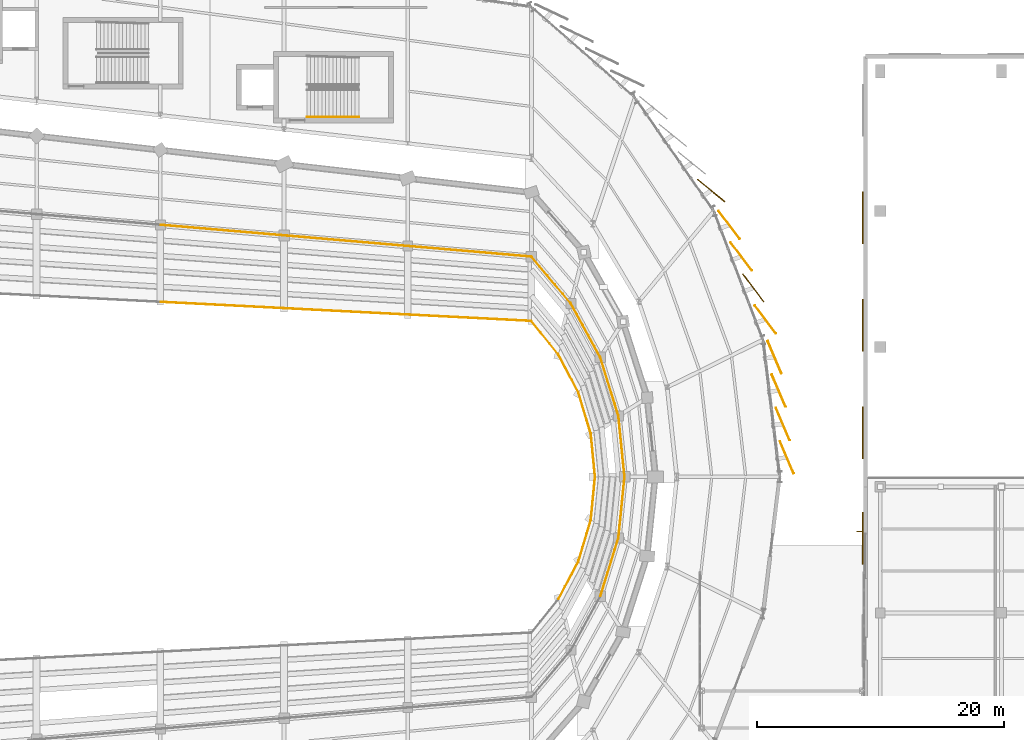
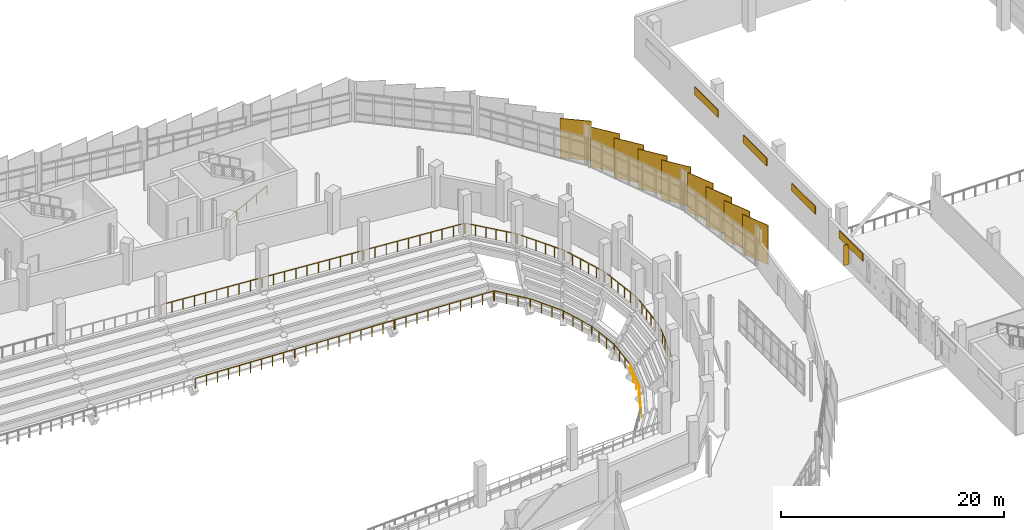
# One storey, part 132 of 134: 20 railings, 13 coverings, 1 shading device.
"""IFC4 building model written with IfcOpenShell, lengths in metres."""

import ifcopenshell
import ifcopenshell.guid

model = None  # the IFC model being written
_history = None  # IfcOwnerHistory: only IFC2X3 demands one
_inside = {}  # id of a spatial element -> (the spatial element, [elements in it])
_under = {}  # id of a project, library or spatial element -> (it, [spatial elements below it])
_declared = {}  # id of a project -> (the project, [libraries it declares])
_typed = {}  # id of a type object -> (the type object, [elements of that type])
_made_of = {}  # id of a material, layer set ... -> (it, [elements and type objects made of it])


def new_model(schema):
    """Start an empty IFC model of exactly this schema.

    Asked for "IFC4X3", IfcOpenShell would pick the latest addendum, in which some entities
    have other attributes; the version numbers below select the first issue.
    IFC2X3 requires an IfcOwnerHistory on every rooted entity: one is made here for all.
    """
    global model, _history
    if schema == "IFC4X3":
        model = ifcopenshell.file(schema_version=(4, 3, 0, 0))
    else:
        model = ifcopenshell.file(schema=schema)
    _inside.clear()
    _under.clear()
    _declared.clear()
    _typed.clear()
    _made_of.clear()
    _history = None
    if model.schema == "IFC2X3":
        org = make("IfcOrganization", Name="unknown")
        user = make(
            "IfcPersonAndOrganization",
            ThePerson=make("IfcPerson", FamilyName="unknown"),
            TheOrganization=org,
        )
        app = make(
            "IfcApplication",
            ApplicationDeveloper=org,
            Version="unknown",
            ApplicationFullName="unknown",
            ApplicationIdentifier="unknown",
        )
        _history = make(
            "IfcOwnerHistory",
            OwningUser=user,
            OwningApplication=app,
            ChangeAction="ADDED",
            CreationDate=0,
        )
    return model


def make(cls, **values):
    """One entity of the class cls with the attributes given. An attribute that is None is left unset."""
    return model.create_entity(
        cls, **{name: value for name, value in values.items() if value is not None}
    )


def rooted(cls, **values):
    """An entity with a GlobalId (a new one), such as an element, a storey or a relation."""
    return make(cls, GlobalId=ifcopenshell.guid.new(), OwnerHistory=_history, **values)


def si_unit(unit_type, name, prefix=None):
    """IfcSIUnit, for example si_unit("LENGTHUNIT", "METRE", prefix="MILLI")."""
    return make("IfcSIUnit", UnitType=unit_type, Prefix=prefix, Name=name)


def assignment(units):
    """IfcUnitAssignment: the units of a project."""
    return None if units is None else make("IfcUnitAssignment", Units=units)


def point(xyz):
    """IfcCartesianPoint."""
    return None if xyz is None else make("IfcCartesianPoint", Coordinates=xyz)


def direction(xyz):
    """IfcDirection."""
    return None if xyz is None else make("IfcDirection", DirectionRatios=xyz)


def frame(location, z_axis=None, x_axis=None):
    """IfcAxis2Placement3D, a coordinate frame: its origin and axes. An axis left out is left unset."""
    return make(
        "IfcAxis2Placement3D",
        Location=point(location),
        Axis=direction(z_axis),
        RefDirection=direction(x_axis),
    )


def frame_2d(location, x_axis=None):
    """IfcAxis2Placement2D, a coordinate frame in the plane: its origin and x axis."""
    return make(
        "IfcAxis2Placement2D", Location=point(location), RefDirection=direction(x_axis)
    )


def origin():
    """The frame at (0, 0, 0) with its axes left unset."""
    return frame((0.0, 0.0, 0.0))


def origin_2d():
    """The frame at (0, 0) in the plane with its x axis left unset."""
    return frame_2d((0.0, 0.0))


def place(relative_to, where):
    """IfcLocalPlacement: puts the frame where relative to a parent placement (None: the world)."""
    return make(
        "IfcLocalPlacement", PlacementRelTo=relative_to, RelativePlacement=where
    )


def context(
    kind, dimensions, precision=None, world=None, true_north=None, identifier=None
):
    """IfcGeometricRepresentationContext, for example the 3D "Model" context."""
    return make(
        "IfcGeometricRepresentationContext",
        ContextIdentifier=identifier,
        ContextType=kind,
        CoordinateSpaceDimension=dimensions,
        Precision=precision,
        WorldCoordinateSystem=world,
        TrueNorth=true_north,
    )


def subcontext(parent, identifier, kind, view, scale=None):
    """IfcGeometricRepresentationSubContext, for example "Body" below "Model"."""
    return make(
        "IfcGeometricRepresentationSubContext",
        ContextIdentifier=identifier,
        ContextType=kind,
        ParentContext=parent,
        TargetScale=scale,
        TargetView=view,
    )


def project(units=None, contexts=None):
    """IfcProject with its units and contexts."""
    return rooted(
        "IfcProject",
        Name="project",
        RepresentationContexts=contexts,
        UnitsInContext=assignment(units),
    )


def spatial(cls, under=None, at=None, **own):
    """A site, building, storey or space (cls), placed at a placement, below another one or the project."""
    s = rooted(cls, ObjectPlacement=at, **own)
    if under is not None:
        _under.setdefault(under.id(), (under, []))[1].append(s)
    return s


def profile(cls, at=None, kind="AREA", **sizes):
    """A parametric profile (cls). Its sizes go by their IFC names, for example OverallWidth=200.0."""
    return make(cls, ProfileType=kind, Position=at, **sizes)


def rectangle(**sizes):
    """IfcRectangleProfileDef."""
    return profile("IfcRectangleProfileDef", **sizes)


def circle(**sizes):
    """IfcCircleProfileDef."""
    return profile("IfcCircleProfileDef", **sizes)


def extrude(swept, where, along, depth):
    """IfcExtrudedAreaSolid: the profile swept, set in the frame where, extruded along a direction by depth."""
    return make(
        "IfcExtrudedAreaSolid",
        SweptArea=swept,
        Position=where,
        ExtrudedDirection=direction(along),
        Depth=depth,
    )


def shape(context_of_items, identifier, shape_type, items):
    """IfcShapeRepresentation: the items that make up one representation, for example the "Body"."""
    return make(
        "IfcShapeRepresentation",
        ContextOfItems=context_of_items,
        RepresentationIdentifier=identifier,
        RepresentationType=shape_type,
        Items=items,
    )


def material(Name=None, Category=None):
    """IfcMaterial."""
    return make("IfcMaterial", Name=Name, Category=Category)


def layer(
    of_material, thickness, ventilated=None, Name=None, Category=None, Priority=None
):
    """IfcMaterialLayer: one layer of a wall or slab, of a material (None: an air gap)."""
    return make(
        "IfcMaterialLayer",
        Material=of_material,
        LayerThickness=thickness,
        IsVentilated=ventilated,
        Name=Name,
        Category=Category,
        Priority=Priority,
    )


def layer_set(layers, Name=None):
    """IfcMaterialLayerSet."""
    return make("IfcMaterialLayerSet", MaterialLayers=layers, LayerSetName=Name)


def made_of(thing, what):
    """Note that an element or type object is made of a material, layer set ...; save() writes the relation."""
    if what is not None:
        _made_of.setdefault(what.id(), (what, []))[1].append(thing)
    return thing


def type_object(cls, material=None, **own):
    """A type object (cls), such as IfcWallType, which elements share."""
    return made_of(rooted(cls, **own), material)


def element(
    cls,
    number,
    at=None,
    inside=None,
    cuts=None,
    type_object=None,
    material=None,
    context=None,
    identifier="Body",
    shape_type=None,
    held_by="IfcProductDefinitionShape",
    body=None,
    shapes=None,
    **own,
):
    """One element of the class cls, such as IfcWall. Its Tag is "e" and its number.

    at: its placement. inside: the storey or other place that contains it. cuts: it is an
    opening in that element (IfcRelVoidsElement). A single representation is given by context,
    identifier, shape_type and body (its items); several are given by shapes. held_by: the class
    of the entity that holds the representations. save() writes the other relations.
    """
    e = rooted(cls, Tag="e%d" % number, ObjectPlacement=at, **own)
    if body is not None:
        shapes = [shape(context, identifier, shape_type, body)]
    if shapes is not None:
        e.Representation = make(held_by, Representations=shapes)
    if inside is not None:
        _inside.setdefault(inside.id(), (inside, []))[1].append(e)
    if cuts is not None:
        rooted(
            "IfcRelVoidsElement", RelatingBuildingElement=cuts, RelatedOpeningElement=e
        )
    if type_object is not None:
        _typed.setdefault(type_object.id(), (type_object, []))[1].append(e)
    return made_of(e, material)


def aggregate(whole, parts):
    """IfcRelAggregates: a whole, such as a stair, and the parts it consists of."""
    return rooted("IfcRelAggregates", RelatingObject=whole, RelatedObjects=parts)


def save(model, path):
    """Write the relations noted so far, then the file.

    IfcRelAggregates (storeys below a building ...), IfcRelContainedInSpatialStructure (elements
    in a storey), IfcRelDefinesByType, IfcRelAssociatesMaterial and IfcRelDeclares: one each for
    every whole, place, type object, material and project.
    """
    for whole, parts in _under.values():
        aggregate(whole, parts)
    for where, things in _inside.values():
        rooted(
            "IfcRelContainedInSpatialStructure",
            RelatedElements=things,
            RelatingStructure=where,
        )
    for kind, things in _typed.values():
        rooted("IfcRelDefinesByType", RelatedObjects=things, RelatingType=kind)
    for what, things in _made_of.values():
        rooted("IfcRelAssociatesMaterial", RelatedObjects=things, RelatingMaterial=what)
    for by, libraries in _declared.values():
        rooted("IfcRelDeclares", RelatingContext=by, RelatedDefinitions=libraries)
    model.write(path)


model = new_model("IFC4")

# Units and contexts
model_context = context("Model", 3, precision=1e-05, world=origin(), true_north=direction((0.0, 1.0)))
body_context = subcontext(model_context, "Body", "Model", "MODEL_VIEW")
ifc_project = project(units=[si_unit("LENGTHUNIT", "METRE"), si_unit("AREAUNIT", "SQUARE_METRE"), si_unit("VOLUMEUNIT", "CUBIC_METRE"), si_unit("PLANEANGLEUNIT", "RADIAN"), si_unit("MASSUNIT", "GRAM", prefix="KILO")], contexts=[model_context])

# Site, building, storey
site_placement = place(None, origin())
site = spatial("IfcSite", under=ifc_project, at=site_placement, CompositionType="ELEMENT")
building_placement = place(site_placement, origin())
building = spatial("IfcBuilding", under=site, at=building_placement, Name="Sohan Crest Arena", CompositionType="ELEMENT")
storey_placement = place(building_placement, frame((0.0, 0.0, 4.5)))
storey = spatial("IfcBuildingStorey", under=building, at=storey_placement, Name="L01", CompositionType="ELEMENT", Elevation=4.5)

# Railings
ifc_material_1 = material(Name="Laminated glass and steel sightline guard", Category="steel")
railing_type_1 = type_object("IfcRailingType", Name="ARC-GRD-02", PredefinedType="GUARDRAIL", material=ifc_material_1)
railing_1_placement = place(storey_placement, frame((170.205078125, 68.14697265625, -4.25)))
element("IfcRailing", 1, at=railing_1_placement, inside=storey, type_object=railing_type_1, Name="Courtside bowl crowd barrier GRD-143", PredefinedType="GUARDRAIL", context=body_context, shape_type="SweptSolid", body=[
    extrude(circle(Radius=0.02392578125, at=origin_2d()), frame((0.0, 0.0, 1.1259765625), z_axis=(0.46556317264, 0.885014650885, 0.0), x_axis=(-0.885014650885, 0.46556317264, 0.0)), (0.0, 0.0, 1.0), 3.404296875),
    extrude(circle(Radius=0.02099609375, at=origin_2d()), origin(), (0.0, 0.0, 1.0), 1.101806640625),
    extrude(circle(Radius=0.02099609375, at=origin_2d()), frame((0.5283203125, 1.00439453125, 0.0)), (0.0, 0.0, 1.0), 1.101806640625),
    extrude(circle(Radius=0.02099609375, at=origin_2d()), frame((1.056640625, 2.008544921875, 0.0)), (0.0, 0.0, 1.0), 1.101806640625),
    extrude(circle(Radius=0.02099609375, at=origin_2d()), frame((1.5849609375, 3.012939453125, 0.0)), (0.0, 0.0, 1.0), 1.101806640625),
])
railing_2_placement = place(storey_placement, frame((171.820068359375, 71.23291015625, -4.25)))
element("IfcRailing", 2, at=railing_2_placement, inside=storey, type_object=railing_type_1, Name="Courtside bowl crowd barrier GRD-144", PredefinedType="GUARDRAIL", context=body_context, shape_type="SweptSolid", body=[
    extrude(circle(Radius=0.02392578125, at=origin_2d()), frame((0.0, 0.0, 1.1259765625), z_axis=(0.28691375412, 0.957956417431, 0.0), x_axis=(-0.957956417431, 0.28691375412, 0.0)), (0.0, 0.0, 1.0), 3.4052734375),
    extrude(circle(Radius=0.02099609375, at=origin_2d()), origin(), (0.0, 0.0, 1.0), 1.101806640625),
    extrude(circle(Radius=0.02099609375, at=origin_2d()), frame((0.32568359375, 1.08740234375, 0.0)), (0.0, 0.0, 1.0), 1.101806640625),
    extrude(circle(Radius=0.02099609375, at=origin_2d()), frame((0.6513671875, 2.1748046875, 0.0)), (0.0, 0.0, 1.0), 1.101806640625),
    extrude(circle(Radius=0.02099609375, at=origin_2d()), frame((0.97705078125, 3.26220703125, 0.0)), (0.0, 0.0, 1.0), 1.101806640625),
])
railing_3_placement = place(storey_placement, frame((172.81201171875, 74.572998046875, -4.25)))
element("IfcRailing", 3, at=railing_3_placement, inside=storey, type_object=railing_type_1, Name="Courtside bowl crowd barrier GRD-145", PredefinedType="GUARDRAIL", context=body_context, shape_type="SweptSolid", body=[
    extrude(circle(Radius=0.02392578125, at=origin_2d()), frame((0.0, 0.0, 1.1259765625), z_axis=(0.09671168221, 0.995312438646, 0.0), x_axis=(-0.995312438646, 0.09671168221, 0.0)), (0.0, 0.0, 1.0), 3.40283203125),
    extrude(circle(Radius=0.02099609375, at=origin_2d()), origin(), (0.0, 0.0, 1.0), 1.101806640625),
    extrude(circle(Radius=0.02099609375, at=origin_2d()), frame((0.109619140625, 1.12890625, 0.0)), (0.0, 0.0, 1.0), 1.101806640625),
    extrude(circle(Radius=0.02099609375, at=origin_2d()), frame((0.219482421875, 2.258056640625, 0.0)), (0.0, 0.0, 1.0), 1.101806640625),
    extrude(circle(Radius=0.02099609375, at=origin_2d()), frame((0.3291015625, 3.386962890625, 0.0)), (0.0, 0.0, 1.0), 1.101806640625),
])
railing_4_placement = place(storey_placement, frame((173.14111328125, 78.0400390625, -4.25)))
element("IfcRailing", 4, at=railing_4_placement, inside=storey, type_object=railing_type_1, Name="Courtside bowl crowd barrier GRD-146", PredefinedType="GUARDRAIL", context=body_context, shape_type="SweptSolid", body=[
    extrude(circle(Radius=0.02392578125, at=origin_2d()), frame((0.0, 0.0, 1.1259765625), z_axis=(-0.09671168221, 0.995312438646, 0.0), x_axis=(-0.995312438646, -0.09671168221, 0.0)), (0.0, 0.0, 1.0), 3.40283203125),
    extrude(circle(Radius=0.02099609375, at=origin_2d()), origin(), (0.0, 0.0, 1.0), 1.101806640625),
    extrude(circle(Radius=0.02099609375, at=origin_2d()), frame((-0.109619140625, 1.12890625, 0.0)), (0.0, 0.0, 1.0), 1.101806640625),
    extrude(circle(Radius=0.02099609375, at=origin_2d()), frame((-0.219482421875, 2.258056640625, 0.0)), (0.0, 0.0, 1.0), 1.101806640625),
    extrude(circle(Radius=0.02099609375, at=origin_2d()), frame((-0.3291015625, 3.386962890625, 0.0)), (0.0, 0.0, 1.0), 1.101806640625),
])
railing_5_placement = place(storey_placement, frame((172.797119140625, 81.5048828125, -4.25)))
element("IfcRailing", 5, at=railing_5_placement, inside=storey, type_object=railing_type_1, Name="Courtside bowl crowd barrier GRD-147", PredefinedType="GUARDRAIL", context=body_context, shape_type="SweptSolid", body=[
    extrude(circle(Radius=0.02392578125, at=origin_2d()), frame((0.0, 0.0, 1.1259765625), z_axis=(-0.28691375412, 0.957956417431, 0.0), x_axis=(-0.957956417431, -0.28691375412, 0.0)), (0.0, 0.0, 1.0), 3.4052734375),
    extrude(circle(Radius=0.02099609375, at=origin_2d()), origin(), (0.0, 0.0, 1.0), 1.101806640625),
    extrude(circle(Radius=0.02099609375, at=origin_2d()), frame((-0.32568359375, 1.08740234375, 0.0)), (0.0, 0.0, 1.0), 1.101806640625),
    extrude(circle(Radius=0.02099609375, at=origin_2d()), frame((-0.6513671875, 2.1748046875, 0.0)), (0.0, 0.0, 1.0), 1.101806640625),
    extrude(circle(Radius=0.02099609375, at=origin_2d()), frame((-0.97705078125, 3.26220703125, 0.0)), (0.0, 0.0, 1.0), 1.101806640625),
])
railing_6_placement = place(storey_placement, frame((171.7900390625, 84.840087890625, -4.25)))
element("IfcRailing", 6, at=railing_6_placement, inside=storey, type_object=railing_type_1, Name="Courtside bowl crowd barrier GRD-148", PredefinedType="GUARDRAIL", context=body_context, shape_type="SweptSolid", body=[
    extrude(circle(Radius=0.02392578125, at=origin_2d()), frame((0.0, 0.0, 1.1259765625), z_axis=(-0.46556317264, 0.885014650885, 0.0), x_axis=(-0.885014650885, -0.46556317264, 0.0)), (0.0, 0.0, 1.0), 3.404296875),
    extrude(circle(Radius=0.02099609375, at=origin_2d()), origin(), (0.0, 0.0, 1.0), 1.101806640625),
    extrude(circle(Radius=0.02099609375, at=origin_2d()), frame((-0.5283203125, 1.00439453125, 0.0)), (0.0, 0.0, 1.0), 1.101806640625),
    extrude(circle(Radius=0.02099609375, at=origin_2d()), frame((-1.056640625, 2.008544921875, 0.0)), (0.0, 0.0, 1.0), 1.101806640625),
    extrude(circle(Radius=0.02099609375, at=origin_2d()), frame((-1.5849609375, 3.012939453125, 0.0)), (0.0, 0.0, 1.0), 1.101806640625),
])
railing_7_placement = place(storey_placement, frame((170.160888671875, 87.9189453125, -4.25)))
element("IfcRailing", 7, at=railing_7_placement, inside=storey, type_object=railing_type_1, Name="Courtside bowl crowd barrier GRD-149", PredefinedType="GUARDRAIL", context=body_context, shape_type="SweptSolid", body=[
    extrude(circle(Radius=0.02392578125, at=origin_2d()), frame((0.0, 0.0, 1.1259765625), z_axis=(-0.627533719877, 0.778589384989, 0.0), x_axis=(-0.778589384989, -0.627533719877, 0.0)), (0.0, 0.0, 1.0), 3.40380859375),
    extrude(circle(Radius=0.02099609375, at=origin_2d()), origin(), (0.0, 0.0, 1.0), 1.101806640625),
    extrude(circle(Radius=0.02099609375, at=origin_2d()), frame((-0.7119140625, 0.88330078125, 0.0)), (0.0, 0.0, 1.0), 1.101806640625),
    extrude(circle(Radius=0.02099609375, at=origin_2d()), frame((-1.424072265625, 1.766845703125, 0.0)), (0.0, 0.0, 1.0), 1.101806640625),
    extrude(circle(Radius=0.02099609375, at=origin_2d()), frame((-2.135986328125, 2.650146484375, 0.0)), (0.0, 0.0, 1.0), 1.101806640625),
])
railing_8_placement = place(storey_placement, frame((167.9599609375, 90.60205078125, -4.25)))
element("IfcRailing", 8, at=railing_8_placement, inside=storey, type_object=railing_type_1, Name="Courtside bowl crowd barrier GRD-150", PredefinedType="GUARDRAIL", context=body_context, shape_type="SweptSolid", body=[
    extrude(circle(Radius=0.02392578125, at=origin_2d()), frame((0.0, 0.0, 1.1259765625), z_axis=(-0.998680982493, 0.051344865437, 0.0), x_axis=(-0.051344865437, -0.998680982493, 0.0)), (0.0, 0.0, 1.0), 9.93310546875),
    extrude(circle(Radius=0.02099609375, at=origin_2d()), origin(), (0.0, 0.0, 1.0), 1.101806640625),
    extrude(circle(Radius=0.02099609375, at=origin_2d()), frame((-1.102294921875, 0.056640625, 0.0)), (0.0, 0.0, 1.0), 1.101806640625),
    extrude(circle(Radius=0.02099609375, at=origin_2d()), frame((-2.204345703125, 0.11328125, 0.0)), (0.0, 0.0, 1.0), 1.101806640625),
    extrude(circle(Radius=0.02099609375, at=origin_2d()), frame((-3.306640625, 0.169921875, 0.0)), (0.0, 0.0, 1.0), 1.101806640625),
    extrude(circle(Radius=0.02099609375, at=origin_2d()), frame((-4.408935546875, 0.2265625, 0.0)), (0.0, 0.0, 1.0), 1.101806640625),
    extrude(circle(Radius=0.02099609375, at=origin_2d()), frame((-5.510986328125, 0.283447265625, 0.0)), (0.0, 0.0, 1.0), 1.101806640625),
    extrude(circle(Radius=0.02099609375, at=origin_2d()), frame((-6.61328125, 0.340087890625, 0.0)), (0.0, 0.0, 1.0), 1.101806640625),
    extrude(circle(Radius=0.02099609375, at=origin_2d()), frame((-7.715576171875, 0.396728515625, 0.0)), (0.0, 0.0, 1.0), 1.101806640625),
    extrude(circle(Radius=0.02099609375, at=origin_2d()), frame((-8.817626953125, 0.453369140625, 0.0)), (0.0, 0.0, 1.0), 1.101806640625),
    extrude(circle(Radius=0.02099609375, at=origin_2d()), frame((-9.919921875, 0.510009765625, 0.0)), (0.0, 0.0, 1.0), 1.101806640625),
])
railing_9_placement = place(storey_placement, frame((157.9599609375, 91.115966796875, -4.25)))
element("IfcRailing", 9, at=railing_9_placement, inside=storey, type_object=railing_type_1, Name="Courtside bowl crowd barrier GRD-151", PredefinedType="GUARDRAIL", context=body_context, shape_type="SweptSolid", body=[
    extrude(circle(Radius=0.02392578125, at=origin_2d()), frame((0.0, 0.0, 1.1259765625), z_axis=(-0.998675936407, 0.051442920233, 0.0), x_axis=(-0.051442920233, -0.998675936407, 0.0)), (0.0, 0.0, 1.0), 9.93310546875),
    extrude(circle(Radius=0.02099609375, at=origin_2d()), origin(), (0.0, 0.0, 1.0), 1.101806640625),
    extrude(circle(Radius=0.02099609375, at=origin_2d()), frame((-1.102294921875, 0.056884765625, 0.0)), (0.0, 0.0, 1.0), 1.101806640625),
    extrude(circle(Radius=0.02099609375, at=origin_2d()), frame((-2.204345703125, 0.113525390625, 0.0)), (0.0, 0.0, 1.0), 1.101806640625),
    extrude(circle(Radius=0.02099609375, at=origin_2d()), frame((-3.306640625, 0.17041015625, 0.0)), (0.0, 0.0, 1.0), 1.101806640625),
    extrude(circle(Radius=0.02099609375, at=origin_2d()), frame((-4.408935546875, 0.22705078125, 0.0)), (0.0, 0.0, 1.0), 1.101806640625),
    extrude(circle(Radius=0.02099609375, at=origin_2d()), frame((-5.510986328125, 0.283935546875, 0.0)), (0.0, 0.0, 1.0), 1.101806640625),
    extrude(circle(Radius=0.02099609375, at=origin_2d()), frame((-6.61328125, 0.340576171875, 0.0)), (0.0, 0.0, 1.0), 1.101806640625),
    extrude(circle(Radius=0.02099609375, at=origin_2d()), frame((-7.715576171875, 0.3974609375, 0.0)), (0.0, 0.0, 1.0), 1.101806640625),
    extrude(circle(Radius=0.02099609375, at=origin_2d()), frame((-8.817626953125, 0.4541015625, 0.0)), (0.0, 0.0, 1.0), 1.101806640625),
    extrude(circle(Radius=0.02099609375, at=origin_2d()), frame((-9.919921875, 0.510986328125, 0.0)), (0.0, 0.0, 1.0), 1.101806640625),
])
railing_10_placement = place(storey_placement, frame((147.9599609375, 91.631103515625, -4.25)))
element("IfcRailing", 10, at=railing_10_placement, inside=storey, type_object=railing_type_1, Name="Courtside bowl crowd barrier GRD-152", PredefinedType="GUARDRAIL", context=body_context, shape_type="SweptSolid", body=[
    extrude(circle(Radius=0.02392578125, at=origin_2d()), frame((0.0, 0.0, 1.1259765625), z_axis=(-0.998680982493, 0.051344865437, 0.0), x_axis=(-0.051344865437, -0.998680982493, 0.0)), (0.0, 0.0, 1.0), 9.93310546875),
    extrude(circle(Radius=0.02099609375, at=origin_2d()), origin(), (0.0, 0.0, 1.0), 1.101806640625),
    extrude(circle(Radius=0.02099609375, at=origin_2d()), frame((-1.102294921875, 0.056640625, 0.0)), (0.0, 0.0, 1.0), 1.101806640625),
    extrude(circle(Radius=0.02099609375, at=origin_2d()), frame((-2.204345703125, 0.11328125, 0.0)), (0.0, 0.0, 1.0), 1.101806640625),
    extrude(circle(Radius=0.02099609375, at=origin_2d()), frame((-3.306640625, 0.169921875, 0.0)), (0.0, 0.0, 1.0), 1.101806640625),
    extrude(circle(Radius=0.02099609375, at=origin_2d()), frame((-4.408935546875, 0.2265625, 0.0)), (0.0, 0.0, 1.0), 1.101806640625),
    extrude(circle(Radius=0.02099609375, at=origin_2d()), frame((-5.510986328125, 0.283447265625, 0.0)), (0.0, 0.0, 1.0), 1.101806640625),
    extrude(circle(Radius=0.02099609375, at=origin_2d()), frame((-6.61328125, 0.340087890625, 0.0)), (0.0, 0.0, 1.0), 1.101806640625),
    extrude(circle(Radius=0.02099609375, at=origin_2d()), frame((-7.715576171875, 0.396728515625, 0.0)), (0.0, 0.0, 1.0), 1.101806640625),
    extrude(circle(Radius=0.02099609375, at=origin_2d()), frame((-8.817626953125, 0.453369140625, 0.0)), (0.0, 0.0, 1.0), 1.101806640625),
    extrude(circle(Radius=0.02099609375, at=origin_2d()), frame((-9.919921875, 0.510009765625, 0.0)), (0.0, 0.0, 1.0), 1.101806640625),
])
railing_11_placement = place(storey_placement, frame((173.5830078125, 68.3740234375, 0.0)))
element("IfcRailing", 11, at=railing_11_placement, inside=storey, type_object=railing_type_1, Name="Bowl gallery edge guard GRD-205", PredefinedType="GUARDRAIL", context=body_context, shape_type="SweptSolid", body=[
    extrude(circle(Radius=0.02392578125, at=origin_2d()), frame((0.0, 0.0, 1.1259765625), z_axis=(0.295710925601, 0.955277471984, 0.0), x_axis=(-0.955277471984, 0.295710925601, 0.0)), (0.0, 0.0, 1.0), 4.8759765625),
    extrude(circle(Radius=0.02099609375, at=origin_2d()), origin(), (0.0, 0.0, 1.0), 1.101806640625),
    extrude(circle(Radius=0.02099609375, at=origin_2d()), frame((0.288330078125, 0.931640625, 0.0)), (0.0, 0.0, 1.0), 1.101806640625),
    extrude(circle(Radius=0.02099609375, at=origin_2d()), frame((0.57666015625, 1.86328125, 0.0)), (0.0, 0.0, 1.0), 1.101806640625),
    extrude(circle(Radius=0.02099609375, at=origin_2d()), frame((0.865234375, 2.794677734375, 0.0)), (0.0, 0.0, 1.0), 1.101806640625),
    extrude(circle(Radius=0.02099609375, at=origin_2d()), frame((1.153564453125, 3.726318359375, 0.0)), (0.0, 0.0, 1.0), 1.101806640625),
    extrude(circle(Radius=0.02099609375, at=origin_2d()), frame((1.44189453125, 4.657958984375, 0.0)), (0.0, 0.0, 1.0), 1.101806640625),
])
railing_12_placement = place(storey_placement, frame((175.041015625, 73.110107421875, 0.0)))
element("IfcRailing", 12, at=railing_12_placement, inside=storey, type_object=railing_type_1, Name="Bowl gallery edge guard GRD-206", PredefinedType="GUARDRAIL", context=body_context, shape_type="SweptSolid", body=[
    extrude(circle(Radius=0.02392578125, at=origin_2d()), frame((0.0, 0.0, 1.1259765625), z_axis=(0.099925241422, 0.99499494779, 0.0), x_axis=(-0.99499494779, 0.099925241422, 0.0)), (0.0, 0.0, 1.0), 4.874267578125),
    extrude(circle(Radius=0.02099609375, at=origin_2d()), origin(), (0.0, 0.0, 1.0), 1.101806640625),
    extrude(circle(Radius=0.02099609375, at=origin_2d()), frame((0.097412109375, 0.969970703125, 0.0)), (0.0, 0.0, 1.0), 1.101806640625),
    extrude(circle(Radius=0.02099609375, at=origin_2d()), frame((0.19482421875, 1.93994140625, 0.0)), (0.0, 0.0, 1.0), 1.101806640625),
    extrude(circle(Radius=0.02099609375, at=origin_2d()), frame((0.292236328125, 2.909912109375, 0.0)), (0.0, 0.0, 1.0), 1.101806640625),
    extrude(circle(Radius=0.02099609375, at=origin_2d()), frame((0.3896484375, 3.8798828125, 0.0)), (0.0, 0.0, 1.0), 1.101806640625),
    extrude(circle(Radius=0.02099609375, at=origin_2d()), frame((0.487060546875, 4.849853515625, 0.0)), (0.0, 0.0, 1.0), 1.101806640625),
])
railing_13_placement = place(storey_placement, frame((175.528076171875, 78.0400390625, 0.0)))
element("IfcRailing", 13, at=railing_13_placement, inside=storey, type_object=railing_type_1, Name="Bowl gallery edge guard GRD-207", PredefinedType="GUARDRAIL", context=body_context, shape_type="SweptSolid", body=[
    extrude(circle(Radius=0.02392578125, at=origin_2d()), frame((0.0, 0.0, 1.1259765625), z_axis=(-0.099925241422, 0.99499494779, 0.0), x_axis=(-0.99499494779, -0.099925241422, 0.0)), (0.0, 0.0, 1.0), 4.874267578125),
    extrude(circle(Radius=0.02099609375, at=origin_2d()), origin(), (0.0, 0.0, 1.0), 1.101806640625),
    extrude(circle(Radius=0.02099609375, at=origin_2d()), frame((-0.097412109375, 0.969970703125, 0.0)), (0.0, 0.0, 1.0), 1.101806640625),
    extrude(circle(Radius=0.02099609375, at=origin_2d()), frame((-0.19482421875, 1.93994140625, 0.0)), (0.0, 0.0, 1.0), 1.101806640625),
    extrude(circle(Radius=0.02099609375, at=origin_2d()), frame((-0.292236328125, 2.909912109375, 0.0)), (0.0, 0.0, 1.0), 1.101806640625),
    extrude(circle(Radius=0.02099609375, at=origin_2d()), frame((-0.3896484375, 3.8798828125, 0.0)), (0.0, 0.0, 1.0), 1.101806640625),
    extrude(circle(Radius=0.02099609375, at=origin_2d()), frame((-0.487060546875, 4.849853515625, 0.0)), (0.0, 0.0, 1.0), 1.101806640625),
])
railing_14_placement = place(storey_placement, frame((175.02490234375, 82.968017578125, 0.0)))
element("IfcRailing", 14, at=railing_14_placement, inside=storey, type_object=railing_type_1, Name="Bowl gallery edge guard GRD-208", PredefinedType="GUARDRAIL", context=body_context, shape_type="SweptSolid", body=[
    extrude(circle(Radius=0.02392578125, at=origin_2d()), frame((0.0, 0.0, 1.1259765625), z_axis=(-0.295710925601, 0.955277471984, 0.0), x_axis=(-0.955277471984, -0.295710925601, 0.0)), (0.0, 0.0, 1.0), 4.8759765625),
    extrude(circle(Radius=0.02099609375, at=origin_2d()), origin(), (0.0, 0.0, 1.0), 1.101806640625),
    extrude(circle(Radius=0.02099609375, at=origin_2d()), frame((-0.288330078125, 0.931640625, 0.0)), (0.0, 0.0, 1.0), 1.101806640625),
    extrude(circle(Radius=0.02099609375, at=origin_2d()), frame((-0.57666015625, 1.86328125, 0.0)), (0.0, 0.0, 1.0), 1.101806640625),
    extrude(circle(Radius=0.02099609375, at=origin_2d()), frame((-0.865234375, 2.794677734375, 0.0)), (0.0, 0.0, 1.0), 1.101806640625),
    extrude(circle(Radius=0.02099609375, at=origin_2d()), frame((-1.153564453125, 3.726318359375, 0.0)), (0.0, 0.0, 1.0), 1.101806640625),
    extrude(circle(Radius=0.02099609375, at=origin_2d()), frame((-1.44189453125, 4.657958984375, 0.0)), (0.0, 0.0, 1.0), 1.101806640625),
])
railing_15_placement = place(storey_placement, frame((173.552001953125, 87.698974609375, 0.0)))
element("IfcRailing", 15, at=railing_15_placement, inside=storey, type_object=railing_type_1, Name="Bowl gallery edge guard GRD-209", PredefinedType="GUARDRAIL", context=body_context, shape_type="SweptSolid", body=[
    extrude(circle(Radius=0.02392578125, at=origin_2d()), frame((0.0, 0.0, 1.1259765625), z_axis=(-0.47973946728, 0.877410988952, 0.0), x_axis=(-0.877410988952, -0.47973946728, 0.0)), (0.0, 0.0, 1.0), 4.875732421875),
    extrude(circle(Radius=0.02099609375, at=origin_2d()), origin(), (0.0, 0.0, 1.0), 1.101806640625),
    extrude(circle(Radius=0.02099609375, at=origin_2d()), frame((-0.4677734375, 0.855712890625, 0.0)), (0.0, 0.0, 1.0), 1.101806640625),
    extrude(circle(Radius=0.02099609375, at=origin_2d()), frame((-0.935546875, 1.711181640625, 0.0)), (0.0, 0.0, 1.0), 1.101806640625),
    extrude(circle(Radius=0.02099609375, at=origin_2d()), frame((-1.403564453125, 2.56689453125, 0.0)), (0.0, 0.0, 1.0), 1.101806640625),
    extrude(circle(Radius=0.02099609375, at=origin_2d()), frame((-1.871337890625, 3.42236328125, 0.0)), (0.0, 0.0, 1.0), 1.101806640625),
    extrude(circle(Radius=0.02099609375, at=origin_2d()), frame((-2.339111328125, 4.278076171875, 0.0)), (0.0, 0.0, 1.0), 1.101806640625),
])
railing_16_placement = place(storey_placement, frame((171.16796875, 92.04296875, 0.0)))
element("IfcRailing", 16, at=railing_16_placement, inside=storey, type_object=railing_type_1, Name="Bowl gallery edge guard GRD-210", PredefinedType="GUARDRAIL", context=body_context, shape_type="SweptSolid", body=[
    extrude(circle(Radius=0.02392578125, at=origin_2d()), frame((0.0, 0.0, 1.1259765625), z_axis=(-0.644656953224, 0.764471982914, 0.0), x_axis=(-0.764471982914, -0.644656953224, 0.0)), (0.0, 0.0, 1.0), 4.8740234375),
    extrude(circle(Radius=0.02099609375, at=origin_2d()), origin(), (0.0, 0.0, 1.0), 1.101806640625),
    extrude(circle(Radius=0.02099609375, at=origin_2d()), frame((-0.62841796875, 0.7451171875, 0.0)), (0.0, 0.0, 1.0), 1.101806640625),
    extrude(circle(Radius=0.02099609375, at=origin_2d()), frame((-1.2568359375, 1.490478515625, 0.0)), (0.0, 0.0, 1.0), 1.101806640625),
    extrude(circle(Radius=0.02099609375, at=origin_2d()), frame((-1.88525390625, 2.235595703125, 0.0)), (0.0, 0.0, 1.0), 1.101806640625),
    extrude(circle(Radius=0.02099609375, at=origin_2d()), frame((-2.513671875, 2.98095703125, 0.0)), (0.0, 0.0, 1.0), 1.101806640625),
    extrude(circle(Radius=0.02099609375, at=origin_2d()), frame((-3.14208984375, 3.72607421875, 0.0)), (0.0, 0.0, 1.0), 1.101806640625),
])
for number, where, name in (
    (17, (167.9599609375, 95.802978515625, 0.0), "Bowl gallery edge guard GRD-211"),
    (18, (157.9599609375, 96.659912109375, 0.0), "Bowl gallery edge guard GRD-212"),
):
    element("IfcRailing", number, at=place(storey_placement, frame(where)), inside=storey, type_object=railing_type_1, Name=name, PredefinedType="GUARDRAIL", context=body_context, shape_type="SweptSolid", body=[
        extrude(circle(Radius=0.02392578125, at=origin_2d()), frame((0.0, 0.0, 1.1259765625), z_axis=(-0.996339849936, 0.085480427173, 0.0), x_axis=(-0.085480427173, -0.996339849936, 0.0)), (0.0, 0.0, 1.0), 9.956298828125),
        extrude(circle(Radius=0.02099609375, at=origin_2d()), origin(), (0.0, 0.0, 1.0), 1.101806640625),
        extrude(circle(Radius=0.02099609375, at=origin_2d()), frame((-1.102294921875, 0.094482421875, 0.0)), (0.0, 0.0, 1.0), 1.101806640625),
        extrude(circle(Radius=0.02099609375, at=origin_2d()), frame((-2.204345703125, 0.189208984375, 0.0)), (0.0, 0.0, 1.0), 1.101806640625),
        extrude(circle(Radius=0.02099609375, at=origin_2d()), frame((-3.306640625, 0.28369140625, 0.0)), (0.0, 0.0, 1.0), 1.101806640625),
        extrude(circle(Radius=0.02099609375, at=origin_2d()), frame((-4.408935546875, 0.378173828125, 0.0)), (0.0, 0.0, 1.0), 1.101806640625),
        extrude(circle(Radius=0.02099609375, at=origin_2d()), frame((-5.510986328125, 0.472900390625, 0.0)), (0.0, 0.0, 1.0), 1.101806640625),
        extrude(circle(Radius=0.02099609375, at=origin_2d()), frame((-6.61328125, 0.5673828125, 0.0)), (0.0, 0.0, 1.0), 1.101806640625),
        extrude(circle(Radius=0.02099609375, at=origin_2d()), frame((-7.715576171875, 0.661865234375, 0.0)), (0.0, 0.0, 1.0), 1.101806640625),
        extrude(circle(Radius=0.02099609375, at=origin_2d()), frame((-8.817626953125, 0.756591796875, 0.0)), (0.0, 0.0, 1.0), 1.101806640625),
        extrude(circle(Radius=0.02099609375, at=origin_2d()), frame((-9.919921875, 0.85107421875, 0.0)), (0.0, 0.0, 1.0), 1.101806640625),
    ])
railing_17_placement = place(storey_placement, frame((147.9599609375, 97.51708984375, 0.0)))
element("IfcRailing", 19, at=railing_17_placement, inside=storey, type_object=railing_type_1, Name="Bowl gallery edge guard GRD-213", PredefinedType="GUARDRAIL", context=body_context, shape_type="SweptSolid", body=[
    extrude(circle(Radius=0.02392578125, at=origin_2d()), frame((0.0, 0.0, 1.1259765625), z_axis=(-0.996341938042, 0.085456085206, 0.0), x_axis=(-0.085456085206, -0.996341938042, 0.0)), (0.0, 0.0, 1.0), 9.956298828125),
    extrude(circle(Radius=0.02099609375, at=origin_2d()), origin(), (0.0, 0.0, 1.0), 1.101806640625),
    extrude(circle(Radius=0.02099609375, at=origin_2d()), frame((-1.102294921875, 0.094482421875, 0.0)), (0.0, 0.0, 1.0), 1.101806640625),
    extrude(circle(Radius=0.02099609375, at=origin_2d()), frame((-2.204345703125, 0.18896484375, 0.0)), (0.0, 0.0, 1.0), 1.101806640625),
    extrude(circle(Radius=0.02099609375, at=origin_2d()), frame((-3.306640625, 0.28369140625, 0.0)), (0.0, 0.0, 1.0), 1.101806640625),
    extrude(circle(Radius=0.02099609375, at=origin_2d()), frame((-4.408935546875, 0.378173828125, 0.0)), (0.0, 0.0, 1.0), 1.101806640625),
    extrude(circle(Radius=0.02099609375, at=origin_2d()), frame((-5.510986328125, 0.47265625, 0.0)), (0.0, 0.0, 1.0), 1.101806640625),
    extrude(circle(Radius=0.02099609375, at=origin_2d()), frame((-6.61328125, 0.567138671875, 0.0)), (0.0, 0.0, 1.0), 1.101806640625),
    extrude(circle(Radius=0.02099609375, at=origin_2d()), frame((-7.715576171875, 0.661865234375, 0.0)), (0.0, 0.0, 1.0), 1.101806640625),
    extrude(circle(Radius=0.02099609375, at=origin_2d()), frame((-8.817626953125, 0.75634765625, 0.0)), (0.0, 0.0, 1.0), 1.101806640625),
    extrude(circle(Radius=0.02099609375, at=origin_2d()), frame((-9.919921875, 0.850830078125, 0.0)), (0.0, 0.0, 1.0), 1.101806640625),
])
ifc_material_2 = material(Name="Brushed stainless steel stair handrail", Category="steel")
railing_type_2 = type_object("IfcRailingType", Name="ARC-HR-01", PredefinedType="HANDRAIL", material=ifc_material_2)
railing_18_placement = place(storey_placement, frame((149.85009765625, 107.110107421875, 0.0)))
element("IfcRailing", 20, at=railing_18_placement, inside=storey, type_object=railing_type_2, Name="Stair pitch handrail HR-189", PredefinedType="HANDRAIL", context=body_context, shape_type="SweptSolid", body=[
    extrude(circle(Radius=0.02392578125, at=origin_2d()), frame((0.0, 0.0, 0.97607421875), z_axis=(0.881477684796, 0.0, 0.472225678258), x_axis=(0.0, 1.0, 0.0)), (0.0, 0.0, 1.0), 4.7646484375),
    extrude(circle(Radius=0.02099609375, at=origin_2d()), origin(), (0.0, 0.0, 1.0), 0.951904296875),
    extrude(circle(Radius=0.02099609375, at=origin_2d()), frame((1.050048828125, 0.0, 0.5625)), (0.0, 0.0, 1.0), 0.951904296875),
    extrude(circle(Radius=0.02099609375, at=origin_2d()), frame((2.10009765625, 0.0, 1.125)), (0.0, 0.0, 1.0), 0.951904296875),
    extrude(circle(Radius=0.02099609375, at=origin_2d()), frame((3.14990234375, 0.0, 1.6875)), (0.0, 0.0, 1.0), 0.951904296875),
    extrude(circle(Radius=0.02099609375, at=origin_2d()), frame((4.199951171875, 0.0, 2.25)), (0.0, 0.0, 1.0), 0.951904296875),
])

# Shading device
ifc_material_3 = material(Name="Glazed terracotta ceramic solar fin", Category="masonry")
ifc_layer_1 = layer(ifc_material_3, 0.070068359375, Name="Glazed terracotta ceramic solar fin")
ifc_layer_set_1 = layer_set([ifc_layer_1], Name="Glazed terracotta ceramic solar fin")
shading_device_type = type_object("IfcShadingDeviceType", Name="ARC-SHD-FIN1", PredefinedType="USERDEFINED", material=ifc_layer_set_1)
shading_device_placement = place(storey_placement, frame((194.56494140625, 73.580078125, 0.75), z_axis=(0.0, 0.0, 1.0), x_axis=(0.0, -1.0, 0.0)))
element("IfcShadingDevice", 21, at=shading_device_placement, inside=storey, type_object=shading_device_type, Name="Solar shading fin FIN-012", ObjectType="FIN", PredefinedType="USERDEFINED", context=body_context, shape_type="SweptSolid", body=[
    extrude(rectangle(XDim=0.070068359375, YDim=0.550048828125, at=origin_2d()), origin(), (0.0, 0.0, 1.0), 2.199951171875),
])

# Coverings
ifc_material_4 = material(Name="Honed dark basalt stone cladding", Category="masonry")
ifc_layer_2 = layer(ifc_material_4, 0.0849609375, Name="Honed dark basalt stone cladding")
ifc_layer_set_2 = layer_set([ifc_layer_2], Name="Honed dark basalt stone cladding")
covering_type_1 = type_object("IfcCoveringType", Name="COV-BAS", PredefinedType="CLADDING", material=ifc_layer_set_2)
for number, where, z_axis, x_axis, name in (
    (22, (194.79296875, 98.949951171875, 2.625), (0.0, 0.0, 1.0), (0.0, -1.0, 0.0), "Dark basalt facade panel DB-0806"),
    (23, (194.79296875, 90.25, 2.625), (0.0, 0.0, 1.0), (0.0, -1.0, 0.0), "Dark basalt facade panel DB-0807"),
    (24, (194.79296875, 81.550048828125, 2.625), (0.0, 0.0, 1.0), (0.0, -1.0, 0.0), "Dark basalt facade panel DB-0808"),
    (25, (194.79296875, 73.050048828125, 2.625), (0.0, 0.0, 1.0), (0.0, -1.0, 0.0), "Dark basalt facade panel DB-0809"),
):
    element("IfcCovering", number, at=place(storey_placement, frame(where, z_axis=z_axis, x_axis=x_axis)), inside=storey, type_object=covering_type_1, Name=name, PredefinedType="CLADDING", context=body_context, shape_type="SweptSolid", body=[
        extrude(rectangle(XDim=4.199951171875, YDim=0.0849609375, at=origin_2d()), origin(), (0.0, 0.0, 1.0), 0.85009765625),
    ])
ifc_material_5 = material(Name="Glazed ivory trencadis ceramic cladding", Category="masonry")
ifc_layer_3 = layer(ifc_material_5, 0.06494140625, Name="Glazed ivory trencadis ceramic cladding")
ifc_layer_set_3 = layer_set([ifc_layer_3], Name="Glazed ivory trencadis ceramic cladding")
covering_type_2 = type_object("IfcCoveringType", Name="COV-SC-IV", PredefinedType="CLADDING", material=ifc_layer_set_3)
for number, where, z_axis, x_axis, name in (
    (26, (188.64990234375, 79.572998046875, -0.2001953125), (0.0, 0.0, 1.0), (-0.390731128489, 0.920504853452, 0.0), "Rotated trencadis ceramic scale panel SC-0087"),
    (27, (188.320068359375, 82.27587890625, -0.2001953125), (0.0, 0.0, 1.0), (-0.390731128489, 0.920504853452, 0.0), "Rotated trencadis ceramic scale panel SC-0088"),
    (28, (187.659912109375, 87.681884765625, -0.2001953125), (0.0, 0.0, 1.0), (-0.390731128489, 0.920504853452, 0.0), "Rotated trencadis ceramic scale panel SC-0090"),
    (29, (186.904052734375, 90.73388671875, -0.2001953125), (0.0, 0.0, 1.0), (-0.600420225326, 0.799684658487, 0.0), "Rotated trencadis ceramic scale panel SC-0091"),
    (30, (184.9619140625, 95.822998046875, -0.2001953125), (0.0, 0.0, 1.0), (-0.600420225326, 0.799684658487, 0.0), "Rotated trencadis ceramic scale panel SC-0093"),
    (31, (183.990966796875, 98.366943359375, -0.2001953125), (0.0, 0.0, 1.0), (-0.600420225326, 0.799684658487, 0.0), "Rotated trencadis ceramic scale panel SC-0094"),
):
    element("IfcCovering", number, at=place(storey_placement, frame(where, z_axis=z_axis, x_axis=x_axis)), inside=storey, type_object=covering_type_2, Name=name, PredefinedType="CLADDING", context=body_context, shape_type="SweptSolid", body=[
        extrude(rectangle(XDim=2.85009765625, YDim=0.06494140625, at=origin_2d()), origin(), (0.0, 0.0, 1.0), 4.300048828125),
    ])
ifc_material_6 = material(Name="Glazed terracotta trencadis ceramic cladding", Category="masonry")
ifc_layer_4 = layer(ifc_material_6, 0.074951171875, Name="Glazed terracotta trencadis ceramic cladding")
ifc_layer_set_4 = layer_set([ifc_layer_4], Name="Glazed terracotta trencadis ceramic cladding")
covering_type_3 = type_object("IfcCoveringType", Name="COV-SC-TC", PredefinedType="CLADDING", material=ifc_layer_set_4)
for number, where, z_axis, x_axis, name in (
    (32, (187.989990234375, 84.97900390625, -0.2001953125), (0.0, 0.0, 1.0), (-0.390731128489, 0.920504853452, 0.0), "Rotated trencadis ceramic scale panel SC-0089"),
    (33, (185.93310546875, 93.278076171875, -0.2001953125), (0.0, 0.0, 1.0), (-0.600420225326, 0.799684658487, 0.0), "Rotated trencadis ceramic scale panel SC-0092"),
    (34, (182.52197265625, 101.14794921875, -0.2001953125), (0.0, 0.0, 1.0), (-0.774944488704, 0.632029302665, 0.0), "Rotated trencadis ceramic scale panel SC-0095"),
):
    element("IfcCovering", number, at=place(storey_placement, frame(where, z_axis=z_axis, x_axis=x_axis)), inside=storey, type_object=covering_type_3, Name=name, PredefinedType="CLADDING", context=body_context, shape_type="SweptSolid", body=[
        extrude(rectangle(XDim=2.85009765625, YDim=0.074951171875, at=origin_2d()), origin(), (0.0, 0.0, 1.0), 4.300048828125),
    ])

save(model, "model.ifc")
